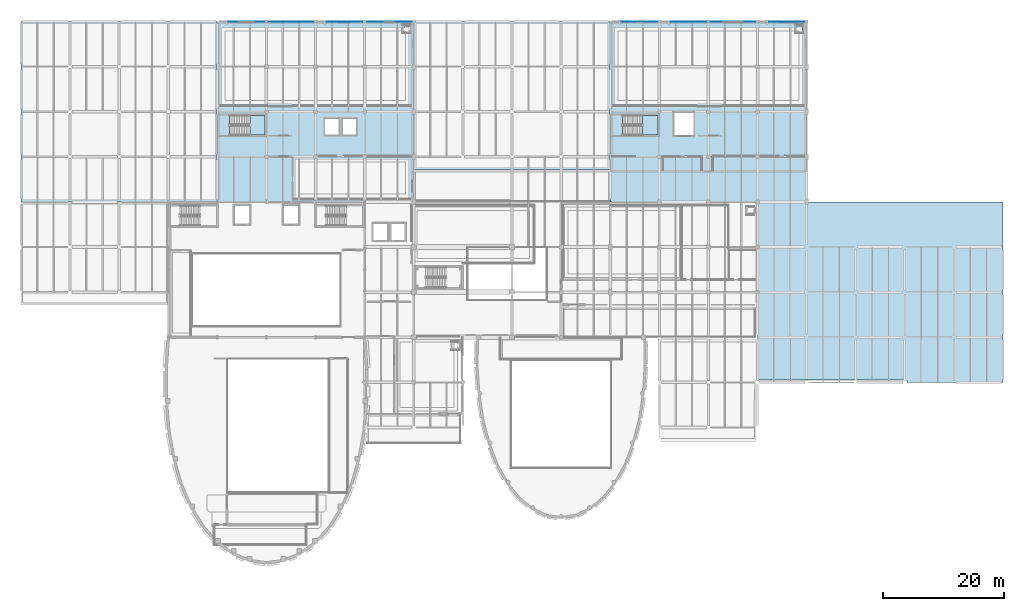
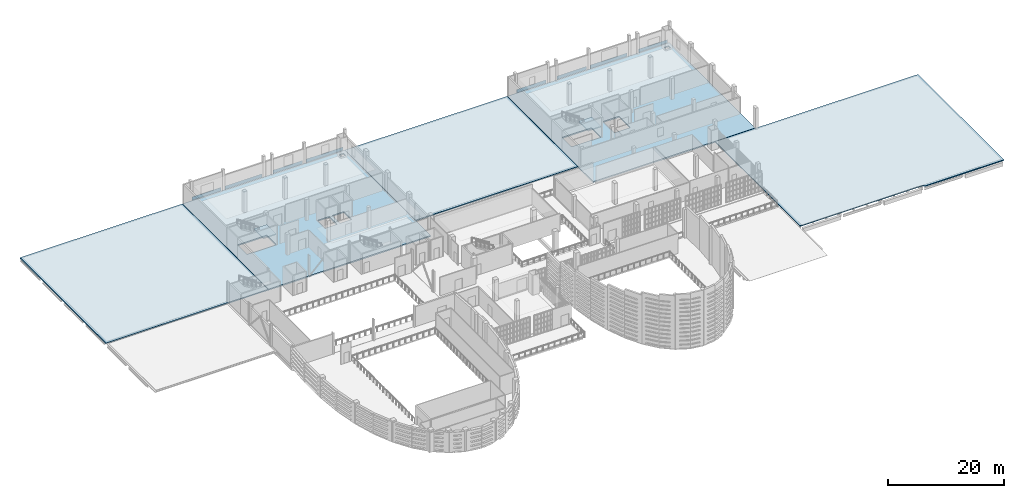
# One storey, part 54 of 73: 8 plates, 7 slabs, 2 elements without a shape of their own.
"""IFC4 building model written with IfcOpenShell, lengths in metres."""

from ifc_helpers import new_model, si_unit, direction, frame, origin, origin_2d, place, context, subcontext, project, spatial, polyline, rectangle, outline, extrude, material, layer, layer_set, type_object, element, aggregate, save


model = new_model("IFC4")

# Units and contexts
model_context = context("Model", 3, precision=1e-05, world=origin(), true_north=direction((0.0, 1.0)))
body_context = subcontext(model_context, "Body", "Model", "MODEL_VIEW")
ifc_project = project(units=[si_unit("LENGTHUNIT", "METRE"), si_unit("AREAUNIT", "SQUARE_METRE"), si_unit("VOLUMEUNIT", "CUBIC_METRE"), si_unit("PLANEANGLEUNIT", "RADIAN"), si_unit("MASSUNIT", "GRAM", prefix="KILO")], contexts=[model_context])

# Site, building, storey
site_placement = place(None, origin())
site = spatial("IfcSite", under=ifc_project, at=site_placement, CompositionType="ELEMENT")
building_placement = place(site_placement, origin())
building = spatial("IfcBuilding", under=site, at=building_placement, Name="Kaelora Sail Theatre", CompositionType="ELEMENT")
storey_placement = place(building_placement, frame((0.0, 0.0, 10.199951171875)))
storey = spatial("IfcBuildingStorey", under=building, at=storey_placement, Name="L02", CompositionType="ELEMENT", Elevation=10.199951171875)

# Plates
ifc_material_1 = material(Name="Anodised perforated aluminium acoustic screen", Category="aluminium")
ifc_layer_1 = layer(ifc_material_1, 0.01611328125)
ifc_layer_set_1 = layer_set([ifc_layer_1], Name="Anodised perforated aluminium acoustic screen")
plate_type_1 = type_object("IfcPlateType", Name="ARC-PL-CLD-PRF-16", PredefinedType="USERDEFINED", material=ifc_layer_set_1)
plate_1_placement = place(storey_placement, frame((54.89990234375, 113.06640625, 0.06005859375), z_axis=(0.0, 0.0, 1.0), x_axis=(1.0, 0.0, 0.0)))
element("IfcPlate", 1, at=plate_1_placement, inside=storey, type_object=plate_type_1, Name="Postmodern Facade Entablature Spandrel L02 B07", ObjectType="ACOUSTIC SCREEN", PredefinedType="USERDEFINED", context=body_context, shape_type="SweptSolid", body=[
    extrude(rectangle(XDim=5.85009765625, YDim=0.01611328125, at=origin_2d()), origin(), (0.0, 0.0, 1.0), 0.719970703125),
])
for number, where, z_axis, x_axis, name in (
    (2, (103.512451171875, 113.06640625, 0.06005859375), (0.0, 0.0, 1.0), (1.0, 0.0, 0.0), "Postmodern Facade Entablature Spandrel L02 B13"),
    (3, (127.8125, 113.06640625, 0.06005859375), (0.0, 0.0, 1.0), (1.0, 0.0, 0.0), "Postmodern Facade Entablature Spandrel L02 B16"),
):
    element("IfcPlate", number, at=place(storey_placement, frame(where, z_axis=z_axis, x_axis=x_axis)), inside=storey, type_object=plate_type_1, Name=name, ObjectType="ACOUSTIC SCREEN", PredefinedType="USERDEFINED", context=body_context, shape_type="SweptSolid", body=[
        extrude(rectangle(XDim=5.824951171875, YDim=0.01611328125, at=origin_2d()), origin(), (0.0, 0.0, 1.0), 0.719970703125),
    ])
ifc_material_2 = material(Name="Architectural glazed terracotta ceramic panel", Category="masonry")
ifc_layer_2 = layer(ifc_material_2, 0.0400390625)
ifc_layer_set_2 = layer_set([ifc_layer_2], Name="Architectural glazed terracotta ceramic panel")
plate_type_2 = type_object("IfcPlateType", Name="ARC-PL-CLD-TER-40", PredefinedType="SHEET", material=ifc_layer_set_2)
plate_2_placement = place(storey_placement, frame((38.71240234375, 113.075927734375, 0.06005859375), z_axis=(0.0, 0.0, 1.0), x_axis=(1.0, 0.0, 0.0)))
element("IfcPlate", 4, at=plate_2_placement, inside=storey, type_object=plate_type_2, Name="Postmodern Facade Entablature Spandrel L02 B05", PredefinedType="SHEET", context=body_context, shape_type="SweptSolid", body=[
    extrude(rectangle(XDim=5.824951171875, YDim=0.0400390625, at=origin_2d()), origin(), (0.0, 0.0, 1.0), 0.719970703125),
])
plate_3_placement = place(storey_placement, frame((62.25, 113.075927734375, 0.06005859375), z_axis=(0.0, 0.0, 1.0), x_axis=(1.0, 0.0, 0.0)))
element("IfcPlate", 5, at=plate_3_placement, inside=storey, type_object=plate_type_2, Name="Postmodern Facade Entablature Spandrel L02 B08", PredefinedType="SHEET", context=body_context, shape_type="SweptSolid", body=[
    extrude(rectangle(XDim=7.35009765625, YDim=0.0400390625, at=origin_2d()), origin(), (0.0, 0.0, 1.0), 0.719970703125),
])
plate_4_placement = place(storey_placement, frame((111.60009765625, 113.075927734375, 0.06005859375), z_axis=(0.0, 0.0, 1.0), x_axis=(1.0, 0.0, 0.0)))
element("IfcPlate", 6, at=plate_4_placement, inside=storey, type_object=plate_type_2, Name="Postmodern Facade Entablature Spandrel L02 B14", PredefinedType="SHEET", context=body_context, shape_type="SweptSolid", body=[
    extrude(rectangle(XDim=5.85009765625, YDim=0.0400390625, at=origin_2d()), origin(), (0.0, 0.0, 1.0), 0.719970703125),
])
ifc_material_3 = material(Name="Titanium-zinc acoustic standing-seam cassette", Category="metal")
ifc_layer_3 = layer(ifc_material_3, 0.028076171875)
ifc_layer_set_3 = layer_set([ifc_layer_3], Name="Titanium-zinc acoustic standing-seam cassette")
plate_type_3 = type_object("IfcPlateType", Name="ARC-PL-CLD-ZNC-28", PredefinedType="SHEET", material=ifc_layer_set_3)
for number, where, z_axis, x_axis, name in (
    (7, (46.050048828125, 113.0712890625, 0.06005859375), (0.0, 0.0, 1.0), (1.0, 0.0, 0.0), "Postmodern Facade Entablature Spandrel L02 B06"),
    (8, (118.949951171875, 113.0712890625, 0.06005859375), (0.0, 0.0, 1.0), (1.0, 0.0, 0.0), "Postmodern Facade Entablature Spandrel L02 B15"),
):
    element("IfcPlate", number, at=place(storey_placement, frame(where, z_axis=z_axis, x_axis=x_axis)), inside=storey, type_object=plate_type_3, Name=name, PredefinedType="SHEET", context=body_context, shape_type="SweptSolid", body=[
        extrude(rectangle(XDim=7.35009765625, YDim=0.028076171875, at=origin_2d()), origin(), (0.0, 0.0, 1.0), 0.719970703125),
    ])

# Stair, slab
ifc_material_4 = material(Name="Concrete C40/50", Category="concrete")
stair_type = type_object("IfcStairType", Name="ARC-ST-ESC150", PredefinedType="HALF_TURN_STAIR", material=ifc_material_4)
stair_1_placement = place(storey_placement, origin())
stair_1 = element("IfcStair", 9, at=stair_1_placement, inside=storey, type_object=stair_type, Name="L02 ST-K2", PredefinedType="HALF_TURN_STAIR")
ifc_material_5 = material(Name="Concrete C40/50", Category="concrete")
ifc_layer_4 = layer(ifc_material_5, 0.219970703125)
ifc_layer_set_4 = layer_set([ifc_layer_4], Name="Concrete C40/50")
slab_type_1 = type_object("IfcSlabType", Name="ARC-SLB-LND220", PredefinedType="LANDING", material=ifc_layer_set_4)
slab_1_placement = place(storey_placement, frame((0.0, 0.0, 2.050048828125)))
slab_1 = element("IfcSlab", 10, at=slab_1_placement, type_object=slab_type_1, Name="ST-K2 landing 1", PredefinedType="LANDING", context=body_context, shape_type="SweptSolid", body=[
    extrude(outline(polyline([(39.260009765625, 94.35009765625), (41.800048828125, 94.35009765625), (41.800048828125, 97.60009765625), (39.260009765625, 97.60009765625), (39.260009765625, 94.35009765625)])), origin(), (0.0, 0.0, 1.0), 0.199951171875),
])
aggregate(stair_1, [slab_1])

stair_2_placement = place(storey_placement, origin())
stair_2 = element("IfcStair", 11, at=stair_2_placement, inside=storey, type_object=stair_type, Name="L02 ST-K4", PredefinedType="HALF_TURN_STAIR")
slab_2_placement = place(storey_placement, frame((0.0, 0.0, 2.050048828125)))
slab_2 = element("IfcSlab", 12, at=slab_2_placement, type_object=slab_type_1, Name="ST-K4 landing 1", PredefinedType="LANDING", context=body_context, shape_type="SweptSolid", body=[
    extrude(outline(polyline([(104.06005859375, 94.35009765625), (106.60009765625, 94.35009765625), (106.60009765625, 97.60009765625), (104.06005859375, 97.60009765625), (104.06005859375, 94.35009765625)])), origin(), (0.0, 0.0, 1.0), 0.199951171875),
])
aggregate(stair_2, [slab_2])

# Slabs
ifc_material_6 = material(Name="Concrete C40/50", Category="concrete")
ifc_layer_5 = layer(ifc_material_6, 0.260009765625)
ifc_layer_set_5 = layer_set([ifc_layer_5], Name="Concrete C40/50")
slab_type_2 = type_object("IfcSlabType", Name="STR-SLB-SL-FL260", PredefinedType="FLOOR", material=ifc_layer_set_5)
slab_3_placement = place(storey_placement, frame((0.0, 0.0, -0.260009765625)))
element("IfcSlab", 13, at=slab_3_placement, inside=storey, type_object=slab_type_2, Name="North Wing floor slab NW2 (L02)", PredefinedType="FLOOR", context=body_context, shape_type="SweptSolid", body=[
    extrude(outline(polyline([(33.9150390625, 83.35498046875), (33.9150390625, 113.10009765625), (66.284912109375, 113.10009765625), (66.284912109375, 83.35498046875), (33.9150390625, 83.35498046875)]), holes=[polyline([(35.945068359375, 94.35009765625), (41.800048828125, 94.35009765625), (41.800048828125, 97.60009765625), (35.945068359375, 97.60009765625), (35.945068359375, 94.35009765625)]), polyline([(51.64990234375, 94.39990234375), (53.949951171875, 94.39990234375), (53.949951171875, 97.10009765625), (51.64990234375, 97.10009765625), (51.64990234375, 94.39990234375)]), polyline([(54.550048828125, 94.39990234375), (56.85009765625, 94.39990234375), (56.85009765625, 97.10009765625), (54.550048828125, 97.10009765625), (54.550048828125, 94.39990234375)]), polyline([(64.735107421875, 111.64990234375), (65.635009765625, 111.64990234375), (65.635009765625, 112.300048828125), (64.735107421875, 112.300048828125), (64.735107421875, 111.64990234375)])]), origin(), (0.0, 0.0, 1.0), 0.260009765625),
])
slab_4_placement = place(storey_placement, frame((0.0, 0.0, -0.260009765625)))
element("IfcSlab", 14, at=slab_4_placement, inside=storey, type_object=slab_type_2, Name="North Wing floor slab NW4 (L02)", PredefinedType="FLOOR", context=body_context, shape_type="SweptSolid", body=[
    extrude(outline(polyline([(98.715087890625, 83.35498046875), (98.715087890625, 113.10009765625), (131.0849609375, 113.10009765625), (131.0849609375, 83.35498046875), (98.715087890625, 83.35498046875)]), holes=[polyline([(100.7451171875, 94.35009765625), (106.60009765625, 94.35009765625), (106.60009765625, 97.60009765625), (100.7451171875, 97.60009765625), (100.7451171875, 94.35009765625)]), polyline([(109.25, 94.300048828125), (112.449951171875, 94.300048828125), (112.449951171875, 98.199951171875), (109.25, 98.199951171875), (109.25, 94.300048828125)]), polyline([(129.534912109375, 111.64990234375), (130.43505859375, 111.64990234375), (130.43505859375, 112.300048828125), (129.534912109375, 112.300048828125), (129.534912109375, 111.64990234375)])]), origin(), (0.0, 0.0, 1.0), 0.260009765625),
])
ifc_material_7 = material(Name="Concrete C40/50", Category="concrete")
ifc_layer_6 = layer(ifc_material_7, 0.195068359375)
ifc_layer_set_6 = layer_set([ifc_layer_6], Name="Concrete C40/50")
slab_type_3 = type_object("IfcSlabType", Name="STR-SLB-SL-RF195", PredefinedType="ROOF", material=ifc_layer_set_6)
slab_5_placement = place(storey_placement, frame((0.0, 0.0, -0.195068359375)))
element("IfcSlab", 15, at=slab_5_placement, inside=storey, type_object=slab_type_3, Name="Flat wing roof slab RF-FE1-TOP", PredefinedType="ROOF", context=body_context, shape_type="SweptSolid", body=[
    extrude(outline(polyline([(123.030029296875, 83.31005859375), (163.5, 83.31005859375), (163.5, 53.60009765625), (147.719482421875, 53.60009765625), (147.6826171875, 53.7529296875), (147.590576171875, 53.88330078125), (147.45654296875, 53.9697265625), (147.300048828125, 54.0), (123.030029296875, 54.0), (123.030029296875, 83.31005859375)])), origin(), (0.0, 0.0, 1.0), 0.195068359375),
])
ifc_material_8 = material(Name="Concrete C40/50", Category="concrete")
ifc_layer_7 = layer(ifc_material_8, 0.235107421875)
ifc_layer_set_7 = layer_set([ifc_layer_7], Name="Concrete C40/50")
slab_type_4 = type_object("IfcSlabType", Name="STR-SLB-SL-RF235", PredefinedType="ROOF", material=ifc_layer_set_7)
slab_6_placement = place(storey_placement, frame((0.0, 0.0, -0.23486328125)))
element("IfcSlab", 16, at=slab_6_placement, inside=storey, type_object=slab_type_4, Name="Flat wing roof slab RF-NW1-TOP", PredefinedType="ROOF", context=body_context, shape_type="SweptSolid", body=[
    extrude(outline(polyline([(1.5, 113.10009765625), (33.8701171875, 113.10009765625), (33.8701171875, 83.360107421875), (1.5, 83.360107421875), (1.5, 113.10009765625)])), origin(), (0.0, 0.0, 1.0), 0.23486328125),
])
slab_7_placement = place(storey_placement, frame((0.0, 0.0, -0.23486328125)))
element("IfcSlab", 17, at=slab_7_placement, inside=storey, type_object=slab_type_4, Name="Flat wing roof slab RF-NW3-TOP", PredefinedType="ROOF", context=body_context, shape_type="SweptSolid", body=[
    extrude(outline(polyline([(66.330078125, 113.10009765625), (98.669921875, 113.10009765625), (98.669921875, 88.64990234375), (66.330078125, 88.64990234375), (66.330078125, 113.10009765625)])), origin(), (0.0, 0.0, 1.0), 0.23486328125),
])

save(model, "model.ifc")
